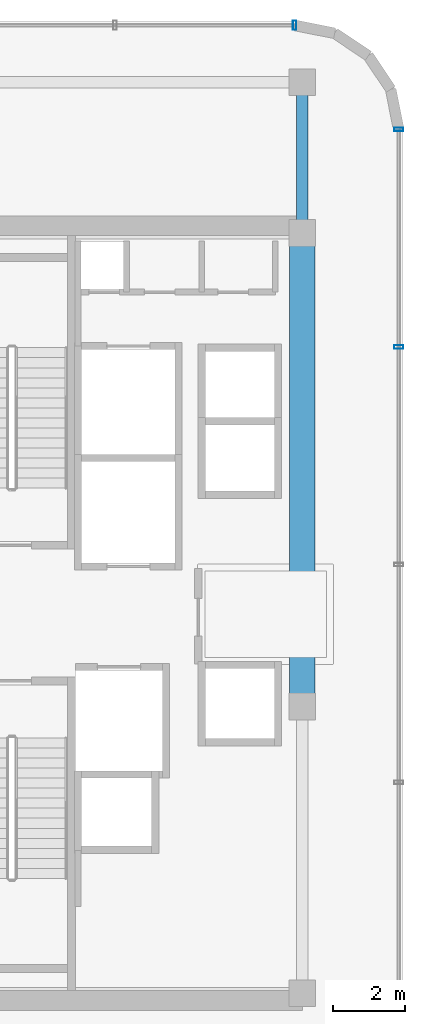
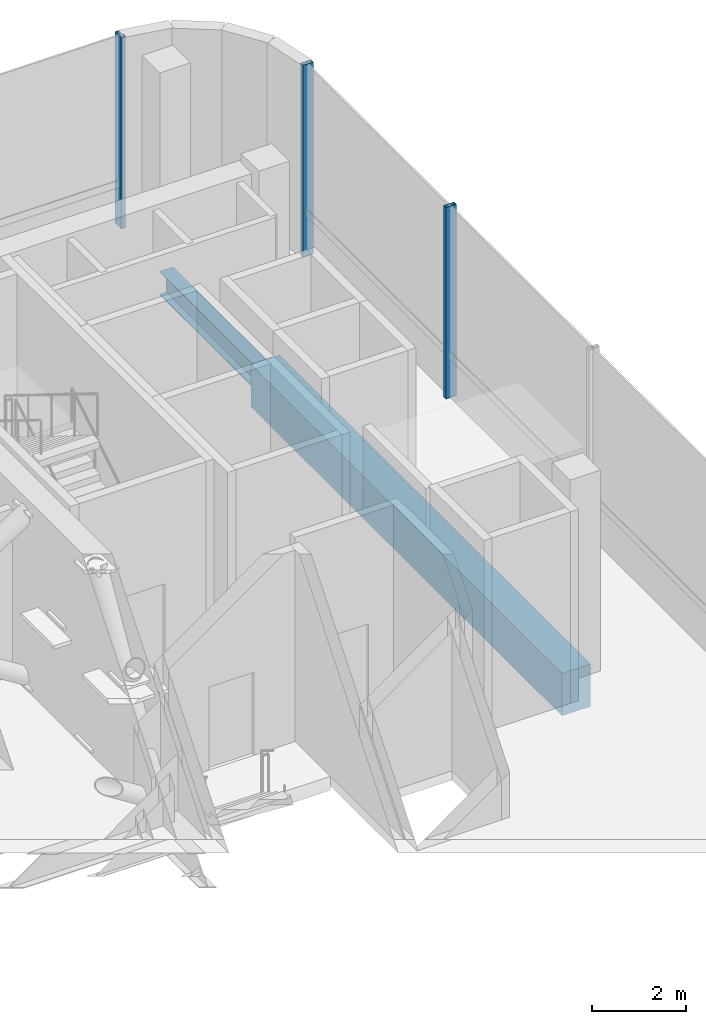
# One storey, part 8 of 13: 3 members, 2 beams, 2 elements without a shape of their own.
"""IFC4 building model written with IfcOpenShell, lengths in metres."""

from ifc_helpers import new_model, si_unit, direction, frame, origin, origin_2d, place, context, subcontext, project, spatial, rectangle, hollow_rectangle, i_section, extrude, source, transform, mapped, material, material_profile, profile_set, type_object, element, aggregate, save


model = new_model("IFC4")

# Units and contexts
model_context = context("Model", 3, precision=1e-05, world=origin(), true_north=direction((0.0, 1.0)))
body_context = subcontext(model_context, "Body", "Model", "MODEL_VIEW")
ifc_project = project(units=[si_unit("LENGTHUNIT", "METRE"), si_unit("AREAUNIT", "SQUARE_METRE"), si_unit("VOLUMEUNIT", "CUBIC_METRE"), si_unit("PLANEANGLEUNIT", "RADIAN"), si_unit("MASSUNIT", "GRAM", prefix="KILO")], contexts=[model_context])

# Site, building, storey
site_placement = place(None, origin())
site = spatial("IfcSite", under=ifc_project, at=site_placement, CompositionType="ELEMENT")
building_placement = place(site_placement, origin())
building = spatial("IfcBuilding", under=site, at=building_placement, Name="Valdorenza Pilgrim Sanctuary Tower", CompositionType="ELEMENT")
storey_placement = place(building_placement, frame((0.0, 0.0, 294.199951171875)))
storey = spatial("IfcBuildingStorey", under=building, at=storey_placement, Name="L77", CompositionType="ELEMENT", Elevation=294.199951171875)

# Beams
ifc_material_1 = material(Name="Concrete C50/60", Category="concrete")
ifc_material_profile_1 = material_profile(ifc_material_1, rectangle(XDim=0.699951171875, YDim=1.10009765625, at=origin_2d()), Name="RC 1100x700")
ifc_profile_set_1 = profile_set([ifc_material_profile_1], Name="Concrete C50/60")
beam_type_1 = type_object("IfcBeamType", Name="STR-BM-LNT-1100", PredefinedType="LINTEL", material=ifc_profile_set_1)
shared_shape_1 = source(origin(), body_context, "Body", "SweptSolid", [
    extrude(rectangle(XDim=0.699951171875, YDim=1.10009765625, at=origin_2d()), origin(), (0.0, 0.0, 1.0), 13.2001953125),
])
beam_1_placement = place(storey_placement, frame((-12.39990234375, -2.60009765625, -0.58984375), z_axis=(0.0, 1.0, 0.0), x_axis=(-1.0, 0.0, 0.0)))
element("IfcBeam", 1, at=beam_1_placement, inside=storey, type_object=beam_type_1, Name="L77 Core A Coupling Lintel Girder", PredefinedType="LINTEL", context=body_context, shape_type="MappedRepresentation", body=[
    mapped(shared_shape_1, transform((0.0, 0.0, 0.0), x_axis=(1.0, 0.0, 0.0), y_axis=(0.0, 1.0, 0.0), z_axis=(0.0, 0.0, 1.0), scale=1.0)),
])
ifc_material_2 = material(Name="Steel ASTM A992 Grade 50", Category="steel")
ifc_material_profile_2 = material_profile(ifc_material_2, i_section(OverallWidth=0.323974609375, OverallDepth=0.611083984375, WebThickness=0.0126953125, FlangeThickness=0.01904296875, at=origin_2d()), Name="W24X104")
ifc_profile_set_2 = profile_set([ifc_material_profile_2], Name="Steel ASTM A992 Grade 50")
beam_type_2 = type_object("IfcBeamType", Name="STR-BM-GRD-W24B", PredefinedType="BEAM", material=ifc_profile_set_2)
shared_shape_2 = source(origin(), body_context, "Body", "SweptSolid", [
    extrude(i_section(OverallWidth=0.323974609375, OverallDepth=0.611083984375, WebThickness=0.0126953125, FlangeThickness=0.01904296875, at=origin_2d()), origin(), (0.0, 0.0, 1.0), 4.199951171875),
])
beam_2_placement = place(storey_placement, frame((-12.39990234375, 10.60009765625, -0.54541015625), z_axis=(0.0, 1.0, 0.0), x_axis=(-1.0, 0.0, 0.0)))
element("IfcBeam", 2, at=beam_2_placement, inside=storey, type_object=beam_type_2, Name="L77 Core Tie Girder CA-E-N1N2", PredefinedType="BEAM", context=body_context, shape_type="MappedRepresentation", body=[
    mapped(shared_shape_2, transform((0.0, 0.0, 0.0), x_axis=(1.0, 0.0, 0.0), y_axis=(0.0, 1.0, 0.0), z_axis=(0.0, 0.0, 1.0), scale=1.0)),
])

# Curtain wall, member
ifc_material_3 = material(Name="Curtain-wall IGU glazing", Category="glass")
curtain_wall_type = type_object("IfcCurtainWallType", Name="CW-SYS-06", PredefinedType="NOTDEFINED", material=ifc_material_3)
curtain_wall_1_placement = place(storey_placement, origin())
curtain_wall_1 = element("IfcCurtainWall", 3, at=curtain_wall_1_placement, inside=storey, type_object=curtain_wall_type, Name="L77 Curtain Wall CW-L77-1-6", PredefinedType="NOTDEFINED")
ifc_material_4 = material(Name="Anodised aluminium AW-6060", Category="aluminium")
ifc_material_profile_3 = material_profile(ifc_material_4, hollow_rectangle(XDim=0.10009765625, YDim=0.260009765625, WallThickness=0.006103515625, at=origin_2d()), Name="ALU-M 260x100x6")
ifc_profile_set_3 = profile_set([ifc_material_profile_3], Name="Anodised aluminium AW-6060")
member_type = type_object("IfcMemberType", Name="CW-MUL-06", PredefinedType="MULLION", material=ifc_profile_set_3)
shared_shape_3 = source(origin(), body_context, "Body", "SweptSolid", [
    extrude(hollow_rectangle(XDim=0.10009765625, YDim=0.260009765625, WallThickness=0.006103515625, at=origin_2d()), origin(), (0.0, 0.0, 1.0), 4.9599609375),
])
member_1_placement = place(storey_placement, frame((-12.61083984375, 16.389892578125, 0.0), z_axis=(0.0, 0.0, 1.0), x_axis=(1.0, 0.0, 0.0)))
member_1 = element("IfcMember", 4, at=member_1_placement, type_object=member_type, Name="CW-L77-1-6 Mullion 4", PredefinedType="MULLION", context=body_context, shape_type="MappedRepresentation", body=[
    mapped(shared_shape_3, transform((0.0, 0.0, 0.0), x_axis=(1.0, 0.0, 0.0), y_axis=(0.0, 1.0, 0.0), z_axis=(0.0, 0.0, 1.0), scale=1.0)),
])
aggregate(curtain_wall_1, [member_1])

# Curtain wall, members
curtain_wall_2_placement = place(storey_placement, origin())
curtain_wall_2 = element("IfcCurtainWall", 5, at=curtain_wall_2_placement, inside=storey, type_object=curtain_wall_type, Name="L77 Curtain Wall CW-L77-1-11", PredefinedType="NOTDEFINED")
member_2_placement = place(storey_placement, frame((-9.7099609375, 13.4892578125, 0.0), z_axis=(0.0, 0.0, 1.0), x_axis=(0.0, -1.0, 0.0)))
member_2 = element("IfcMember", 6, at=member_2_placement, type_object=member_type, Name="CW-L77-1-11 Mullion 1", PredefinedType="MULLION", context=body_context, shape_type="MappedRepresentation", body=[
    mapped(shared_shape_3, transform((0.0, 0.0, 0.0), x_axis=(1.0, 0.0, 0.0), y_axis=(0.0, 1.0, 0.0), z_axis=(0.0, 0.0, 1.0), scale=1.0)),
])
member_3_placement = place(storey_placement, frame((-9.7099609375, 7.419677734375, 0.0), z_axis=(0.0, 0.0, 1.0), x_axis=(0.0, -1.0, 0.0)))
member_3 = element("IfcMember", 7, at=member_3_placement, type_object=member_type, Name="CW-L77-1-11 Mullion 2", PredefinedType="MULLION", context=body_context, shape_type="MappedRepresentation", body=[
    mapped(shared_shape_3, transform((0.0, 0.0, 0.0), x_axis=(1.0, 0.0, 0.0), y_axis=(0.0, 1.0, 0.0), z_axis=(0.0, 0.0, 1.0), scale=1.0)),
])
aggregate(curtain_wall_2, [member_2, member_3])

save(model, "model.ifc")
